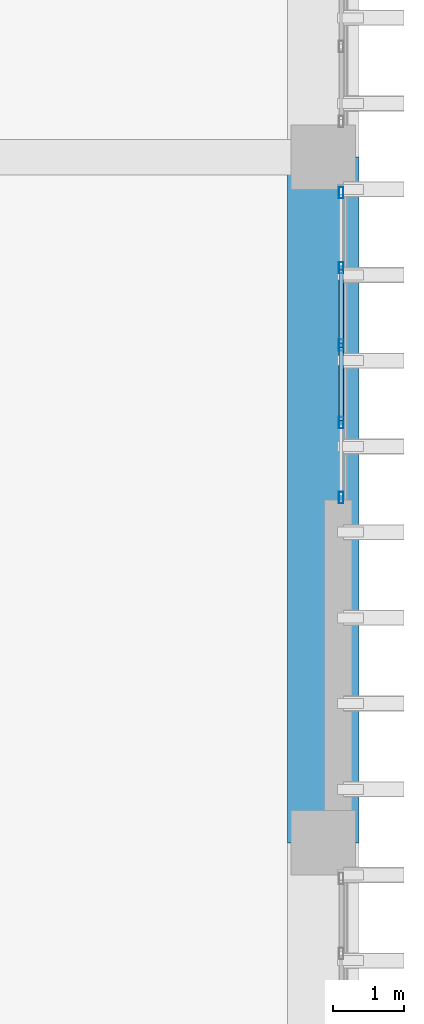
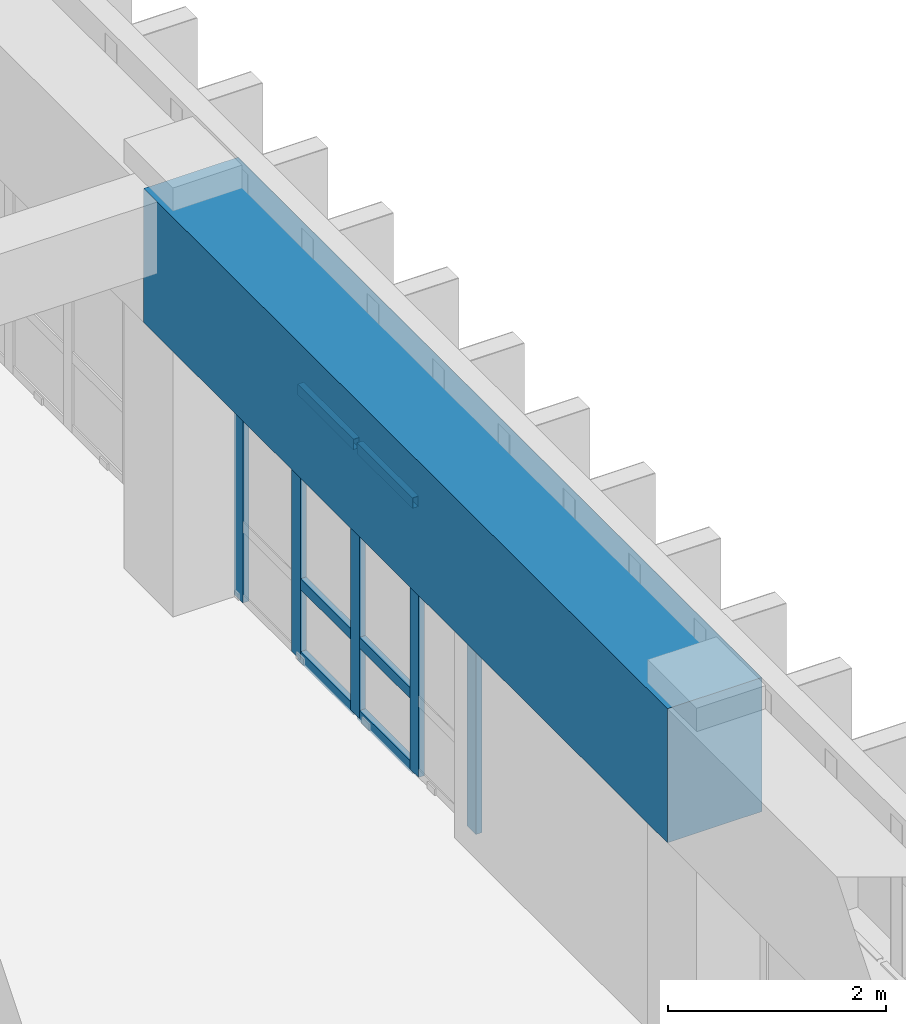
# One storey, part 40 of 101: 11 members, 1 beam, 1 element without a shape of its own.
"""IFC4 building model written with IfcOpenShell, lengths in metres."""

from ifc_helpers import new_model, si_unit, direction, frame, origin, origin_2d, place, context, subcontext, project, spatial, rectangle, hollow_rectangle, extrude, material, layer, layer_set, material_profile, profile_set, type_object, element, aggregate, save


model = new_model("IFC4")

# Units and contexts
model_context = context("Model", 3, precision=1e-05, world=origin(), true_north=direction((0.0, 1.0)))
body_context = subcontext(model_context, "Body", "Model", "MODEL_VIEW")
ifc_project = project(units=[si_unit("LENGTHUNIT", "METRE"), si_unit("AREAUNIT", "SQUARE_METRE"), si_unit("VOLUMEUNIT", "CUBIC_METRE"), si_unit("PLANEANGLEUNIT", "RADIAN"), si_unit("MASSUNIT", "GRAM", prefix="KILO")], contexts=[model_context])

# Site, building, storey
site_placement = place(None, origin())
site = spatial("IfcSite", under=ifc_project, at=site_placement, CompositionType="ELEMENT")
building_placement = place(site_placement, origin())
building = spatial("IfcBuilding", under=site, at=building_placement, Name="Nakhvara Creek Congress Hotel", CompositionType="ELEMENT")
storey_placement = place(building_placement, frame((0.0, 0.0, 16.199951171875)))
storey = spatial("IfcBuildingStorey", under=building, at=storey_placement, Name="L03", CompositionType="ELEMENT", Elevation=16.199951171875)

# Beam
ifc_material_1 = material(Name="Concrete C50/60", Category="concrete")
ifc_material_profile_1 = material_profile(ifc_material_1, rectangle(XDim=1.0, YDim=1.5, at=origin_2d()), Name="RC-TG 1000x1500", Category="LoadBearing")
ifc_profile_set_1 = profile_set([ifc_material_profile_1], Name="Concrete C50/60")
beam_type = type_object("IfcBeamType", Name="BM-TG2-1500", PredefinedType="BEAM", material=ifc_profile_set_1)
beam_placement = place(storey_placement, frame((179.35009765625, 38.39990234375, 3.7900390625), z_axis=(0.0, 1.0, 0.0), x_axis=(-1.0, 0.0, 0.0)))
element("IfcBeam", 1, at=beam_placement, inside=storey, type_object=beam_type, Name="Transfer Girder TG2-L03-1900", PredefinedType="BEAM", context=body_context, shape_type="SweptSolid", body=[
    extrude(rectangle(XDim=1.0, YDim=1.5, at=origin_2d()), origin(), (0.0, 0.0, 1.0), 9.60009765625),
])

# Curtain wall, members
ifc_material_2 = material(Name="Bronze-anodised aluminium AW-6063-T6 and double-silver low-E glass", Category="aluminium")
ifc_layer = layer(ifc_material_2, 0.199951171875)
ifc_layer_set = layer_set([ifc_layer], Name="Bronze-anodised aluminium AW-6063-T6 and double-silver low-E glass")
curtain_wall_type = type_object("IfcCurtainWallType", Name="CW-HTL-UNIT", PredefinedType="USERDEFINED", material=ifc_layer_set)
curtain_wall_placement = place(storey_placement, origin())
curtain_wall = element("IfcCurtainWall", 2, at=curtain_wall_placement, inside=storey, type_object=curtain_wall_type, Name="Curtain Wall CW156", ObjectType="UNITISED", PredefinedType="USERDEFINED")
ifc_material_3 = material(Name="Bronze-anodised aluminium AW-6063-T6", Category="aluminium")
ifc_material_profile_2 = material_profile(ifc_material_3, hollow_rectangle(XDim=0.06494140625, YDim=0.159912109375, WallThickness=0.00390625, at=origin_2d()), Name="ALU-MULL 65x160x4", Category="LoadBearing")
ifc_profile_set_2 = profile_set([ifc_material_profile_2], Name="Bronze-anodised aluminium AW-6063-T6")
member_type_1 = type_object("IfcMemberType", Name="CW-MULL-160", PredefinedType="MULLION", material=ifc_profile_set_2)
member_1_placement = place(storey_placement, frame((179.60009765625, 47.50244140625, 0.0), z_axis=(0.0, 0.0, 1.0), x_axis=(1.0, 0.0, 0.0)))
member_1 = element("IfcMember", 3, at=member_1_placement, type_object=member_type_1, Name="CW156 mullion 1", PredefinedType="MULLION", context=body_context, shape_type="SweptSolid", body=[
    extrude(hollow_rectangle(XDim=0.06494140625, YDim=0.159912109375, WallThickness=0.00390625, at=origin_2d()), origin(), (0.0, 0.0, 1.0), 3.031982421875),
])
member_2_placement = place(storey_placement, frame((179.60009765625, 46.451171875, 0.0), z_axis=(0.0, 0.0, 1.0), x_axis=(1.0, 0.0, 0.0)))
member_2 = element("IfcMember", 4, at=member_2_placement, type_object=member_type_1, Name="CW156 mullion 2", PredefinedType="MULLION", context=body_context, shape_type="SweptSolid", body=[
    extrude(hollow_rectangle(XDim=0.06494140625, YDim=0.159912109375, WallThickness=0.00390625, at=origin_2d()), origin(), (0.0, 0.0, 1.0), 3.031982421875),
])
member_3_placement = place(storey_placement, frame((179.60009765625, 45.367431640625, 0.0), z_axis=(0.0, 0.0, 1.0), x_axis=(1.0, 0.0, 0.0)))
member_3 = element("IfcMember", 5, at=member_3_placement, type_object=member_type_1, Name="CW156 mullion 3", PredefinedType="MULLION", context=body_context, shape_type="SweptSolid", body=[
    extrude(hollow_rectangle(XDim=0.06494140625, YDim=0.159912109375, WallThickness=0.00390625, at=origin_2d()), origin(), (0.0, 0.0, 1.0), 3.031982421875),
])
member_4_placement = place(storey_placement, frame((179.60009765625, 44.28369140625, 0.0), z_axis=(0.0, 0.0, 1.0), x_axis=(1.0, 0.0, 0.0)))
member_4 = element("IfcMember", 6, at=member_4_placement, type_object=member_type_1, Name="CW156 mullion 4", PredefinedType="MULLION", context=body_context, shape_type="SweptSolid", body=[
    extrude(hollow_rectangle(XDim=0.06494140625, YDim=0.159912109375, WallThickness=0.00390625, at=origin_2d()), origin(), (0.0, 0.0, 1.0), 3.031982421875),
])
member_5_placement = place(storey_placement, frame((179.60009765625, 43.232421875, 0.0), z_axis=(0.0, 0.0, 1.0), x_axis=(1.0, 0.0, 0.0)))
member_5 = element("IfcMember", 7, at=member_5_placement, type_object=member_type_1, Name="CW156 mullion 5", PredefinedType="MULLION", context=body_context, shape_type="SweptSolid", body=[
    extrude(hollow_rectangle(XDim=0.06494140625, YDim=0.159912109375, WallThickness=0.00390625, at=origin_2d()), origin(), (0.0, 0.0, 1.0), 3.031982421875),
])
ifc_material_profile_3 = material_profile(ifc_material_3, hollow_rectangle(XDim=0.06494140625, YDim=0.1201171875, WallThickness=0.00390625, at=origin_2d()), Name="ALU-TRAN 65x120x4", Category="LoadBearing")
ifc_profile_set_3 = profile_set([ifc_material_profile_3], Name="Bronze-anodised aluminium AW-6063-T6")
member_type_2 = type_object("IfcMemberType", Name="CW-TRAN-120", PredefinedType="USERDEFINED", material=ifc_profile_set_3)
member_6_placement = place(storey_placement, frame((179.60009765625, 46.418701171875, 0.032470703125), z_axis=(0.0, -1.0, 0.0), x_axis=(1.0, 0.0, 0.0)))
member_6 = element("IfcMember", 8, at=member_6_placement, type_object=member_type_2, Name="CW156 transom 2.1", ObjectType="TRANSOM", PredefinedType="USERDEFINED", context=body_context, shape_type="SweptSolid", body=[
    extrude(hollow_rectangle(XDim=0.06494140625, YDim=0.1201171875, WallThickness=0.00390625, at=origin_2d()), origin(), (0.0, 0.0, 1.0), 1.018798828125),
])
member_7_placement = place(storey_placement, frame((179.60009765625, 46.418701171875, 0.85009765625), z_axis=(0.0, -1.0, 0.0), x_axis=(1.0, 0.0, 0.0)))
member_7 = element("IfcMember", 9, at=member_7_placement, type_object=member_type_2, Name="CW156 transom 2.2", ObjectType="TRANSOM", PredefinedType="USERDEFINED", context=body_context, shape_type="SweptSolid", body=[
    extrude(hollow_rectangle(XDim=0.06494140625, YDim=0.1201171875, WallThickness=0.00390625, at=origin_2d()), origin(), (0.0, 0.0, 1.0), 1.018798828125),
])
member_8_placement = place(storey_placement, frame((179.60009765625, 46.418701171875, 2.99951171875), z_axis=(0.0, -1.0, 0.0), x_axis=(1.0, 0.0, 0.0)))
member_8 = element("IfcMember", 10, at=member_8_placement, type_object=member_type_2, Name="CW156 transom 2.3", ObjectType="TRANSOM", PredefinedType="USERDEFINED", context=body_context, shape_type="SweptSolid", body=[
    extrude(hollow_rectangle(XDim=0.06494140625, YDim=0.1201171875, WallThickness=0.00390625, at=origin_2d()), origin(), (0.0, 0.0, 1.0), 1.018798828125),
])
member_9_placement = place(storey_placement, frame((179.60009765625, 45.3349609375, 0.032470703125), z_axis=(0.0, -1.0, 0.0), x_axis=(1.0, 0.0, 0.0)))
member_9 = element("IfcMember", 11, at=member_9_placement, type_object=member_type_2, Name="CW156 transom 3.1", ObjectType="TRANSOM", PredefinedType="USERDEFINED", context=body_context, shape_type="SweptSolid", body=[
    extrude(hollow_rectangle(XDim=0.06494140625, YDim=0.1201171875, WallThickness=0.00390625, at=origin_2d()), origin(), (0.0, 0.0, 1.0), 1.018798828125),
])
member_10_placement = place(storey_placement, frame((179.60009765625, 45.3349609375, 0.85009765625), z_axis=(0.0, -1.0, 0.0), x_axis=(1.0, 0.0, 0.0)))
member_10 = element("IfcMember", 12, at=member_10_placement, type_object=member_type_2, Name="CW156 transom 3.2", ObjectType="TRANSOM", PredefinedType="USERDEFINED", context=body_context, shape_type="SweptSolid", body=[
    extrude(hollow_rectangle(XDim=0.06494140625, YDim=0.1201171875, WallThickness=0.00390625, at=origin_2d()), origin(), (0.0, 0.0, 1.0), 1.018798828125),
])
member_11_placement = place(storey_placement, frame((179.60009765625, 45.3349609375, 2.99951171875), z_axis=(0.0, -1.0, 0.0), x_axis=(1.0, 0.0, 0.0)))
member_11 = element("IfcMember", 13, at=member_11_placement, type_object=member_type_2, Name="CW156 transom 3.3", ObjectType="TRANSOM", PredefinedType="USERDEFINED", context=body_context, shape_type="SweptSolid", body=[
    extrude(hollow_rectangle(XDim=0.06494140625, YDim=0.1201171875, WallThickness=0.00390625, at=origin_2d()), origin(), (0.0, 0.0, 1.0), 1.018798828125),
])
aggregate(curtain_wall, [member_1, member_2, member_3, member_4, member_5, member_6, member_7, member_8, member_9, member_10, member_11])

save(model, "model.ifc")
